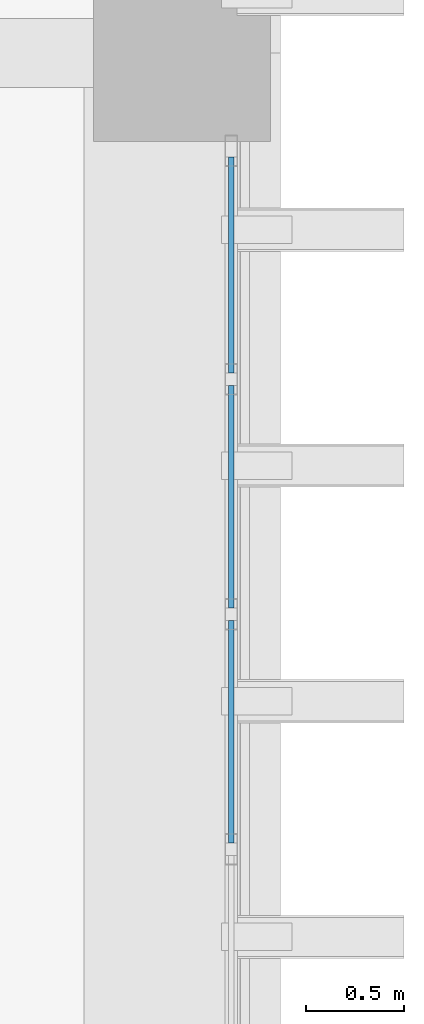
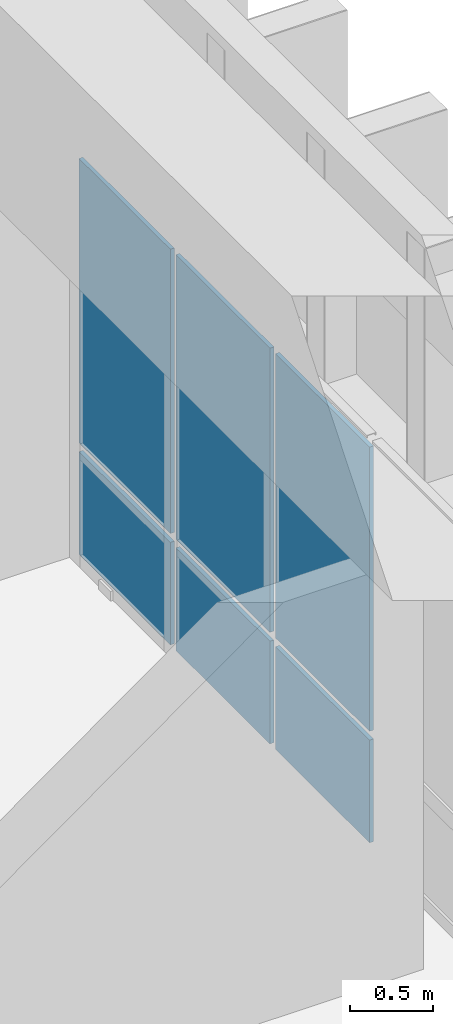
# One storey, part 71 of 101: 6 plates, 1 element without a shape of its own.
"""IFC4 building model written with IfcOpenShell, lengths in metres."""

from ifc_helpers import new_model, si_unit, direction, frame, origin, origin_2d, place, context, subcontext, project, spatial, rectangle, extrude, material, layer, layer_set, type_object, element, aggregate, save


model = new_model("IFC4")

# Units and contexts
model_context = context("Model", 3, precision=1e-05, world=origin(), true_north=direction((0.0, 1.0)))
body_context = subcontext(model_context, "Body", "Model", "MODEL_VIEW")
ifc_project = project(units=[si_unit("LENGTHUNIT", "METRE"), si_unit("AREAUNIT", "SQUARE_METRE"), si_unit("VOLUMEUNIT", "CUBIC_METRE"), si_unit("PLANEANGLEUNIT", "RADIAN"), si_unit("MASSUNIT", "GRAM", prefix="KILO")], contexts=[model_context])

# Site, building, storey
site_placement = place(None, origin())
site = spatial("IfcSite", under=ifc_project, at=site_placement, CompositionType="ELEMENT")
building_placement = place(site_placement, origin())
building = spatial("IfcBuilding", under=site, at=building_placement, Name="Nakhvara Creek Congress Hotel", CompositionType="ELEMENT")
storey_placement = place(building_placement, frame((0.0, 0.0, 16.199951171875)))
storey = spatial("IfcBuildingStorey", under=building, at=storey_placement, Name="L03", CompositionType="ELEMENT", Elevation=16.199951171875)

# Curtain wall, plates
ifc_material_1 = material(Name="Bronze-anodised aluminium AW-6063-T6 and double-silver low-E glass", Category="aluminium")
ifc_layer = layer(ifc_material_1, 0.199951171875)
ifc_layer_set = layer_set([ifc_layer], Name="Bronze-anodised aluminium AW-6063-T6 and double-silver low-E glass")
curtain_wall_type = type_object("IfcCurtainWallType", Name="CW-HTL-UNIT", PredefinedType="USERDEFINED", material=ifc_layer_set)
curtain_wall_placement = place(storey_placement, origin())
curtain_wall = element("IfcCurtainWall", 1, at=curtain_wall_placement, inside=storey, type_object=curtain_wall_type, Name="Curtain Wall CW171", ObjectType="UNITISED", PredefinedType="USERDEFINED")
ifc_material_2 = material(Name="Double-silver solar-control low-E insulated glass", Category="glass")
plate_type = type_object("IfcPlateType", Name="PNL-GLZ-120X250", PredefinedType="CURTAIN_PANEL", material=ifc_material_2)
plate_1_placement = place(storey_placement, frame((179.60009765625, 124.170654296875, 0.065185546875), z_axis=(0.0, 0.0, 1.0), x_axis=(0.0, -1.0, 0.0)))
plate_1 = element("IfcPlate", 2, at=plate_1_placement, type_object=plate_type, Name="CW171 panel 1.1", PredefinedType="CURTAIN_PANEL", context=body_context, shape_type="SweptSolid", body=[
    extrude(rectangle(XDim=1.0986328125, YDim=0.028076171875, at=origin_2d()), origin(), (0.0, 0.0, 1.0), 0.75244140625),
])
plate_2_placement = place(storey_placement, frame((179.60009765625, 124.170654296875, 0.882568359375), z_axis=(0.0, 0.0, 1.0), x_axis=(0.0, -1.0, 0.0)))
plate_2 = element("IfcPlate", 3, at=plate_2_placement, type_object=plate_type, Name="CW171 panel 1.2", PredefinedType="CURTAIN_PANEL", context=body_context, shape_type="SweptSolid", body=[
    extrude(rectangle(XDim=1.0986328125, YDim=0.028076171875, at=origin_2d()), origin(), (0.0, 0.0, 1.0), 2.08447265625),
])
plate_3_placement = place(storey_placement, frame((179.60009765625, 122.99072265625, 0.065185546875), z_axis=(0.0, 0.0, 1.0), x_axis=(0.0, -1.0, 0.0)))
plate_3 = element("IfcPlate", 4, at=plate_3_placement, type_object=plate_type, Name="CW171 panel 2.1", PredefinedType="CURTAIN_PANEL", context=body_context, shape_type="SweptSolid", body=[
    extrude(rectangle(XDim=1.13134765625, YDim=0.028076171875, at=origin_2d()), origin(), (0.0, 0.0, 1.0), 0.75244140625),
])
plate_4_placement = place(storey_placement, frame((179.60009765625, 122.99072265625, 0.882568359375), z_axis=(0.0, 0.0, 1.0), x_axis=(0.0, -1.0, 0.0)))
plate_4 = element("IfcPlate", 5, at=plate_4_placement, type_object=plate_type, Name="CW171 panel 2.2", PredefinedType="CURTAIN_PANEL", context=body_context, shape_type="SweptSolid", body=[
    extrude(rectangle(XDim=1.13134765625, YDim=0.028076171875, at=origin_2d()), origin(), (0.0, 0.0, 1.0), 2.08447265625),
])
plate_5_placement = place(storey_placement, frame((179.60009765625, 121.79443359375, 0.065185546875), z_axis=(0.0, 0.0, 1.0), x_axis=(0.0, -1.0, 0.0)))
plate_5 = element("IfcPlate", 6, at=plate_5_placement, type_object=plate_type, Name="CW171 panel 3.1", PredefinedType="CURTAIN_PANEL", context=body_context, shape_type="SweptSolid", body=[
    extrude(rectangle(XDim=1.13134765625, YDim=0.028076171875, at=origin_2d()), origin(), (0.0, 0.0, 1.0), 0.75244140625),
])
plate_6_placement = place(storey_placement, frame((179.60009765625, 121.79443359375, 0.882568359375), z_axis=(0.0, 0.0, 1.0), x_axis=(0.0, -1.0, 0.0)))
plate_6 = element("IfcPlate", 7, at=plate_6_placement, type_object=plate_type, Name="CW171 panel 3.2", PredefinedType="CURTAIN_PANEL", context=body_context, shape_type="SweptSolid", body=[
    extrude(rectangle(XDim=1.13134765625, YDim=0.028076171875, at=origin_2d()), origin(), (0.0, 0.0, 1.0), 2.08447265625),
])
aggregate(curtain_wall, [plate_1, plate_2, plate_3, plate_4, plate_5, plate_6])

save(model, "model.ifc")
